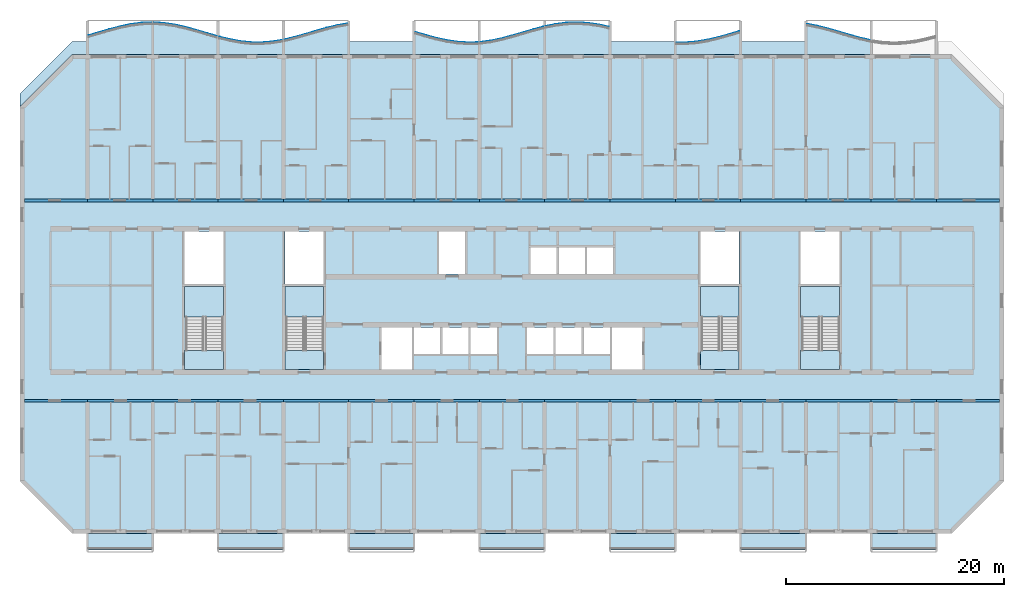
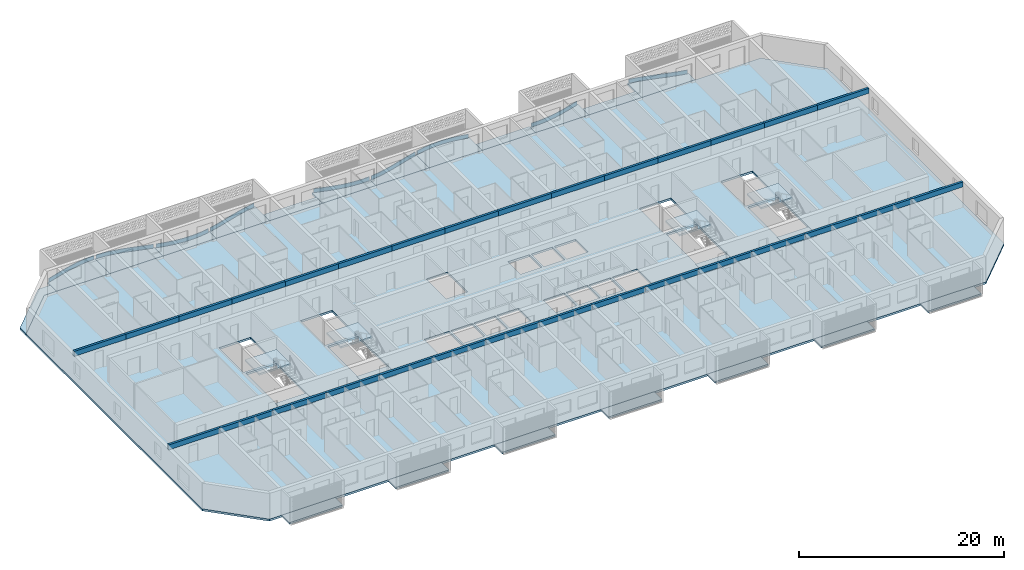
# One storey, part 1 of 28: 30 beams, 29 slabs, 9 plates, 4 elements without a shape of their own.
"""IFC4 building model written with IfcOpenShell, lengths in metres."""

from ifc_helpers import new_model, si_unit, direction, frame, origin, origin_2d, place, context, subcontext, project, spatial, polyline, rectangle, outline, extrude, source, transform, mapped, material, layer, layer_set, material_profile, profile_set, type_object, element, aggregate, save


model = new_model("IFC4")

# Units and contexts
model_context = context("Model", 3, precision=1e-05, world=origin(), true_north=direction((0.0, 1.0)))
body_context = subcontext(model_context, "Body", "Model", "MODEL_VIEW")
ifc_project = project(units=[si_unit("LENGTHUNIT", "METRE"), si_unit("AREAUNIT", "SQUARE_METRE"), si_unit("VOLUMEUNIT", "CUBIC_METRE"), si_unit("PLANEANGLEUNIT", "RADIAN"), si_unit("MASSUNIT", "GRAM", prefix="KILO")], contexts=[model_context])

# Site, building, storey
site_placement = place(None, origin())
site = spatial("IfcSite", under=ifc_project, at=site_placement, CompositionType="ELEMENT")
building_placement = place(site_placement, origin())
building = spatial("IfcBuilding", under=site, at=building_placement, Name="Poui Terraces", CompositionType="ELEMENT")
storey_placement = place(building_placement, frame((0.0, 0.0, 72.89990234375)))
storey = spatial("IfcBuildingStorey", under=building, at=storey_placement, Name="L19", CompositionType="ELEMENT", Elevation=72.89990234375)

# Beams
ifc_material_1 = material(Name="Concrete 65 MPa", Category="concrete")
ifc_material_profile = material_profile(ifc_material_1, rectangle(XDim=0.25, YDim=0.60009765625, at=origin_2d()), Name="RC 250x600")
ifc_profile_set = profile_set([ifc_material_profile], Name="Concrete 65 MPa")
beam_type = type_object("IfcBeamType", Name="COUPLING BEAM 250x600 65MPa", PredefinedType="BEAM", material=ifc_profile_set)
shared_shape_1 = source(origin(), body_context, "Body", "SweptSolid", [
    extrude(rectangle(XDim=0.25, YDim=0.60009765625, at=origin_2d()), origin(), (0.0, 0.0, 1.0), 5.800048828125),
])
for number, where, z_axis, x_axis, name in (
    (1, (6.199951171875, 12.0, 2.760009765625), (1.0, 0.0, 0.0), (0.0, 1.0, 0.0), "COUPLING BEAM LINE B BAY 1"),
    (2, (90.0, 12.0, 2.760009765625), (1.0, 0.0, 0.0), (0.0, 1.0, 0.0), "COUPLING BEAM LINE B BAY 15"),
    (3, (6.199951171875, 30.39990234375, 2.760009765625), (1.0, 0.0, 0.0), (0.0, 1.0, 0.0), "COUPLING BEAM LINE E BAY 1"),
    (4, (90.0, 30.39990234375, 2.760009765625), (1.0, 0.0, 0.0), (0.0, 1.0, 0.0), "COUPLING BEAM LINE E BAY 15"),
):
    element("IfcBeam", number, at=place(storey_placement, frame(where, z_axis=z_axis, x_axis=x_axis)), inside=storey, type_object=beam_type, Name=name, PredefinedType="BEAM", context=body_context, shape_type="MappedRepresentation", body=[
        mapped(shared_shape_1, transform((0.0, 0.0, 0.0))),
    ])
shared_shape_2 = source(origin(), body_context, "Body", "SweptSolid", [
    extrude(rectangle(XDim=0.25, YDim=0.60009765625, at=origin_2d()), origin(), (0.0, 0.0, 1.0), 6.0),
])
for number, where, z_axis, x_axis, name in (
    (5, (12.0, 12.0, 2.760009765625), (1.0, 0.0, 0.0), (0.0, 1.0, 0.0), "COUPLING BEAM LINE B BAY 2"),
    (6, (18.0, 12.0, 2.760009765625), (1.0, 0.0, 0.0), (0.0, 1.0, 0.0), "COUPLING BEAM LINE B BAY 3"),
    (7, (24.0, 12.0, 2.760009765625), (1.0, 0.0, 0.0), (0.0, 1.0, 0.0), "COUPLING BEAM LINE B BAY 4"),
    (8, (30.0, 12.0, 2.760009765625), (1.0, 0.0, 0.0), (0.0, 1.0, 0.0), "COUPLING BEAM LINE B BAY 5"),
    (9, (36.0, 12.0, 2.760009765625), (1.0, 0.0, 0.0), (0.0, 1.0, 0.0), "COUPLING BEAM LINE B BAY 6"),
    (10, (42.0, 12.0, 2.760009765625), (1.0, 0.0, 0.0), (0.0, 1.0, 0.0), "COUPLING BEAM LINE B BAY 7"),
    (11, (48.0, 12.0, 2.760009765625), (1.0, 0.0, 0.0), (0.0, 1.0, 0.0), "COUPLING BEAM LINE B BAY 8"),
    (12, (54.0, 12.0, 2.760009765625), (1.0, 0.0, 0.0), (0.0, 1.0, 0.0), "COUPLING BEAM LINE B BAY 9"),
    (13, (60.0, 12.0, 2.760009765625), (1.0, 0.0, 0.0), (0.0, 1.0, 0.0), "COUPLING BEAM LINE B BAY 10"),
    (14, (66.0, 12.0, 2.760009765625), (1.0, 0.0, 0.0), (0.0, 1.0, 0.0), "COUPLING BEAM LINE B BAY 11"),
    (15, (72.0, 12.0, 2.760009765625), (1.0, 0.0, 0.0), (0.0, 1.0, 0.0), "COUPLING BEAM LINE B BAY 12"),
    (16, (78.0, 12.0, 2.760009765625), (1.0, 0.0, 0.0), (0.0, 1.0, 0.0), "COUPLING BEAM LINE B BAY 13"),
    (17, (84.0, 12.0, 2.760009765625), (1.0, 0.0, 0.0), (0.0, 1.0, 0.0), "COUPLING BEAM LINE B BAY 14"),
    (18, (12.0, 30.39990234375, 2.760009765625), (1.0, 0.0, 0.0), (0.0, 1.0, 0.0), "COUPLING BEAM LINE E BAY 2"),
    (19, (18.0, 30.39990234375, 2.760009765625), (1.0, 0.0, 0.0), (0.0, 1.0, 0.0), "COUPLING BEAM LINE E BAY 3"),
    (20, (24.0, 30.39990234375, 2.760009765625), (1.0, 0.0, 0.0), (0.0, 1.0, 0.0), "COUPLING BEAM LINE E BAY 4"),
    (21, (30.0, 30.39990234375, 2.760009765625), (1.0, 0.0, 0.0), (0.0, 1.0, 0.0), "COUPLING BEAM LINE E BAY 5"),
    (22, (36.0, 30.39990234375, 2.760009765625), (1.0, 0.0, 0.0), (0.0, 1.0, 0.0), "COUPLING BEAM LINE E BAY 6"),
    (23, (42.0, 30.39990234375, 2.760009765625), (1.0, 0.0, 0.0), (0.0, 1.0, 0.0), "COUPLING BEAM LINE E BAY 7"),
    (24, (48.0, 30.39990234375, 2.760009765625), (1.0, 0.0, 0.0), (0.0, 1.0, 0.0), "COUPLING BEAM LINE E BAY 8"),
    (25, (54.0, 30.39990234375, 2.760009765625), (1.0, 0.0, 0.0), (0.0, 1.0, 0.0), "COUPLING BEAM LINE E BAY 9"),
    (26, (60.0, 30.39990234375, 2.760009765625), (1.0, 0.0, 0.0), (0.0, 1.0, 0.0), "COUPLING BEAM LINE E BAY 10"),
    (27, (66.0, 30.39990234375, 2.760009765625), (1.0, 0.0, 0.0), (0.0, 1.0, 0.0), "COUPLING BEAM LINE E BAY 11"),
    (28, (72.0, 30.39990234375, 2.760009765625), (1.0, 0.0, 0.0), (0.0, 1.0, 0.0), "COUPLING BEAM LINE E BAY 12"),
    (29, (78.0, 30.39990234375, 2.760009765625), (1.0, 0.0, 0.0), (0.0, 1.0, 0.0), "COUPLING BEAM LINE E BAY 13"),
    (30, (84.0, 30.39990234375, 2.760009765625), (1.0, 0.0, 0.0), (0.0, 1.0, 0.0), "COUPLING BEAM LINE E BAY 14"),
):
    element("IfcBeam", number, at=place(storey_placement, frame(where, z_axis=z_axis, x_axis=x_axis)), inside=storey, type_object=beam_type, Name=name, PredefinedType="BEAM", context=body_context, shape_type="MappedRepresentation", body=[
        mapped(shared_shape_2, transform((0.0, 0.0, 0.0))),
    ])

# Slabs
ifc_material_2 = material(Name="Precast concrete 40 MPa", Category="concrete")
ifc_layer_1 = layer(ifc_material_2, 0.239990234375)
ifc_layer_set_1 = layer_set([ifc_layer_1], Name="Precast concrete 40 MPa")
slab_type_1 = type_object("IfcSlabType", Name="BALCONY SLAB 240", PredefinedType="FLOOR", material=ifc_layer_set_1)
slab_1_placement = place(storey_placement, frame((0.0, 0.0, -0.239990234375)))
element("IfcSlab", 31, at=slab_1_placement, inside=storey, type_object=slab_type_1, Name="BALCONY SLAB", PredefinedType="FLOOR", context=body_context, shape_type="SweptSolid", body=[
    extrude(outline(polyline([(12.0, 43.800048828125), (18.0, 43.800048828125), (18.0, 46.749267578125), (17.0, 46.71337890625), (16.0, 46.586181640625), (15.0, 46.380615234375), (14.0, 46.117919921875), (13.0, 45.824951171875), (12.0, 45.531982421875), (12.0, 43.800048828125)])), origin(), (0.0, 0.0, 1.0), 0.239990234375),
])
slab_2_placement = place(storey_placement, frame((0.0, 0.0, -0.239990234375)))
element("IfcSlab", 32, at=slab_2_placement, inside=storey, type_object=slab_type_1, Name="BALCONY SLAB", PredefinedType="FLOOR", context=body_context, shape_type="SweptSolid", body=[
    extrude(outline(polyline([(18.0, 43.800048828125), (24.0, 43.800048828125), (24.0, 45.46240234375), (23.0, 45.75048828125), (22.0, 46.04638671875), (21.0, 46.3193359375), (20.0, 46.54150390625), (19.0, 46.68994140625), (18.0, 46.749267578125), (18.0, 43.800048828125)])), origin(), (0.0, 0.0, 1.0), 0.239990234375),
])
slab_3_placement = place(storey_placement, frame((0.0, 0.0, -0.239990234375)))
element("IfcSlab", 33, at=slab_3_placement, inside=storey, type_object=slab_type_1, Name="BALCONY SLAB", PredefinedType="FLOOR", context=body_context, shape_type="SweptSolid", body=[
    extrude(outline(polyline([(24.0, 43.800048828125), (30.0, 43.800048828125), (30.0, 45.157958984375), (29.0, 44.9892578125), (28.0, 44.90673828125), (27.0, 44.918701171875), (26.0, 45.02392578125), (25.0, 45.211669921875), (24.0, 45.46240234375), (24.0, 43.800048828125)])), origin(), (0.0, 0.0, 1.0), 0.239990234375),
])
slab_4_placement = place(storey_placement, frame((0.0, 0.0, -0.239990234375)))
element("IfcSlab", 34, at=slab_4_placement, inside=storey, type_object=slab_type_1, Name="BALCONY SLAB", PredefinedType="FLOOR", context=body_context, shape_type="SweptSolid", body=[
    extrude(outline(polyline([(30.0, 43.800048828125), (36.0, 43.800048828125), (36.0, 46.66064453125), (35.0, 46.4921875), (34.0, 46.2548828125), (33.0, 45.973388671875), (32.0, 45.676513671875), (31.0, 45.39501953125), (30.0, 45.157958984375), (30.0, 43.800048828125)])), origin(), (0.0, 0.0, 1.0), 0.239990234375),
])
slab_5_placement = place(storey_placement, frame((0.0, 0.0, -0.239990234375)))
element("IfcSlab", 35, at=slab_5_placement, inside=storey, type_object=slab_type_1, Name="BALCONY SLAB", PredefinedType="FLOOR", context=body_context, shape_type="SweptSolid", body=[
    extrude(outline(polyline([(42.0, 43.800048828125), (48.0, 43.800048828125), (48.0, 44.9365234375), (47.0, 44.90087890625), (46.0, 44.960205078125), (45.0, 45.1083984375), (44.0, 45.33056640625), (43.0, 45.603515625), (42.0, 45.8994140625), (42.0, 43.800048828125)])), origin(), (0.0, 0.0, 1.0), 0.239990234375),
])
slab_6_placement = place(storey_placement, frame((0.0, 0.0, -0.239990234375)))
element("IfcSlab", 36, at=slab_6_placement, inside=storey, type_object=slab_type_1, Name="BALCONY SLAB", PredefinedType="FLOOR", context=body_context, shape_type="SweptSolid", body=[
    extrude(outline(polyline([(48.0, 43.800048828125), (54.0, 43.800048828125), (54.0, 46.380615234375), (53.0, 46.117919921875), (52.0, 45.824951171875), (51.0, 45.531982421875), (50.0, 45.269287109375), (49.0, 45.063720703125), (48.0, 44.9365234375), (48.0, 43.800048828125)])), origin(), (0.0, 0.0, 1.0), 0.239990234375),
])
slab_7_placement = place(storey_placement, frame((0.0, 0.0, -0.239990234375)))
element("IfcSlab", 37, at=slab_7_placement, inside=storey, type_object=slab_type_1, Name="BALCONY SLAB", PredefinedType="FLOOR", context=body_context, shape_type="SweptSolid", body=[
    extrude(outline(polyline([(54.0, 43.800048828125), (60.0, 43.800048828125), (60.0, 46.3193359375), (59.0, 46.54150390625), (58.0, 46.68994140625), (57.0, 46.749267578125), (56.0, 46.71337890625), (55.0, 46.586181640625), (54.0, 46.380615234375), (54.0, 43.800048828125)])), origin(), (0.0, 0.0, 1.0), 0.239990234375),
])
slab_8_placement = place(storey_placement, frame((0.0, 0.0, -0.239990234375)))
element("IfcSlab", 38, at=slab_8_placement, inside=storey, type_object=slab_type_1, Name="BALCONY SLAB", PredefinedType="FLOOR", context=body_context, shape_type="SweptSolid", body=[
    extrude(outline(polyline([(66.0, 43.800048828125), (72.0, 43.800048828125), (72.0, 45.973388671875), (71.0, 45.676513671875), (70.0, 45.39501953125), (69.0, 45.157958984375), (68.0, 44.9892578125), (67.0, 44.90673828125), (66.0, 44.918701171875), (66.0, 43.800048828125)])), origin(), (0.0, 0.0, 1.0), 0.239990234375),
])
slab_9_placement = place(storey_placement, frame((0.0, 0.0, -0.239990234375)))
element("IfcSlab", 39, at=slab_9_placement, inside=storey, type_object=slab_type_1, Name="BALCONY SLAB", PredefinedType="FLOOR", context=body_context, shape_type="SweptSolid", body=[
    extrude(outline(polyline([(78.0, 43.800048828125), (84.0, 43.800048828125), (84.0, 45.1083984375), (83.0, 45.33056640625), (82.0, 45.603515625), (81.0, 45.8994140625), (80.0, 46.1875), (79.0, 46.4384765625), (78.0, 46.626220703125), (78.0, 43.800048828125)])), origin(), (0.0, 0.0, 1.0), 0.239990234375),
])

# Stair, slabs
stair_type = type_object("IfcStairType", Name="EXIT STAIR 1650 65 MPA", PredefinedType="HALF_TURN_STAIR", material=ifc_material_1)
stair_1_placement = place(storey_placement, origin())
stair_1 = element("IfcStair", 40, at=stair_1_placement, inside=storey, type_object=stair_type, Name="L19 CORE STAIR EAST", PredefinedType="HALF_TURN_STAIR")
ifc_layer_2 = layer(ifc_material_1, 0.199951171875)
ifc_layer_set_2 = layer_set([ifc_layer_2], Name="Concrete 65 MPa")
slab_type_2 = type_object("IfcSlabType", Name="STAIR LANDING 200 65 MPA", PredefinedType="LANDING", material=ifc_layer_set_2)
slab_10_placement = place(storey_placement, frame((0.0, 0.0, 1.449951171875)))
slab_10 = element("IfcSlab", 41, at=slab_10_placement, type_object=slab_type_2, Name="ST-CE landing 1", PredefinedType="LANDING", context=body_context, shape_type="SweptSolid", body=[
    extrude(outline(polyline([(68.324951171875, 19.679931640625), (71.875, 19.679931640625), (71.875, 22.47509765625), (68.324951171875, 22.47509765625), (68.324951171875, 19.679931640625)])), origin(), (0.0, 0.0, 1.0), 0.2001953125),
])
slab_11_placement = place(storey_placement, frame((0.0, 0.0, -0.199951171875)))
slab_11 = element("IfcSlab", 42, at=slab_11_placement, type_object=slab_type_2, Name="ST-CE landing 2", PredefinedType="LANDING", context=body_context, shape_type="SweptSolid", body=[
    extrude(outline(polyline([(68.324951171875, 14.85009765625), (71.875, 14.85009765625), (71.875, 16.60009765625), (68.324951171875, 16.60009765625), (68.324951171875, 14.85009765625)])), origin(), (0.0, 0.0, 1.0), 0.199951171875),
])
aggregate(stair_1, [slab_10, slab_11])

stair_2_placement = place(storey_placement, origin())
stair_2 = element("IfcStair", 43, at=stair_2_placement, inside=storey, type_object=stair_type, Name="L19 CORE STAIR WEST", PredefinedType="HALF_TURN_STAIR")
slab_12_placement = place(storey_placement, frame((0.0, 0.0, 1.449951171875)))
slab_12 = element("IfcSlab", 44, at=slab_12_placement, type_object=slab_type_2, Name="ST-CW landing 1", PredefinedType="LANDING", context=body_context, shape_type="SweptSolid", body=[
    extrude(outline(polyline([(30.125, 19.679931640625), (33.675048828125, 19.679931640625), (33.675048828125, 22.47509765625), (30.125, 22.47509765625), (30.125, 19.679931640625)])), origin(), (0.0, 0.0, 1.0), 0.2001953125),
])
slab_13_placement = place(storey_placement, frame((0.0, 0.0, -0.199951171875)))
slab_13 = element("IfcSlab", 45, at=slab_13_placement, type_object=slab_type_2, Name="ST-CW landing 2", PredefinedType="LANDING", context=body_context, shape_type="SweptSolid", body=[
    extrude(outline(polyline([(30.125, 14.85009765625), (33.675048828125, 14.85009765625), (33.675048828125, 16.60009765625), (30.125, 16.60009765625), (30.125, 14.85009765625)])), origin(), (0.0, 0.0, 1.0), 0.199951171875),
])
aggregate(stair_2, [slab_12, slab_13])

stair_3_placement = place(storey_placement, origin())
stair_3 = element("IfcStair", 46, at=stair_3_placement, inside=storey, type_object=stair_type, Name="L19 TIP STAIR EAST", PredefinedType="HALF_TURN_STAIR")
slab_14_placement = place(storey_placement, frame((0.0, 0.0, 1.449951171875)))
slab_14 = element("IfcSlab", 47, at=slab_14_placement, type_object=slab_type_2, Name="ST-E landing 1", PredefinedType="LANDING", context=body_context, shape_type="SweptSolid", body=[
    extrude(outline(polyline([(77.52490234375, 19.679931640625), (81.074951171875, 19.679931640625), (81.074951171875, 22.47509765625), (77.52490234375, 22.47509765625), (77.52490234375, 19.679931640625)])), origin(), (0.0, 0.0, 1.0), 0.2001953125),
])
slab_15_placement = place(storey_placement, frame((0.0, 0.0, -0.199951171875)))
slab_15 = element("IfcSlab", 48, at=slab_15_placement, type_object=slab_type_2, Name="ST-E landing 2", PredefinedType="LANDING", context=body_context, shape_type="SweptSolid", body=[
    extrude(outline(polyline([(77.52490234375, 14.85009765625), (81.074951171875, 14.85009765625), (81.074951171875, 16.60009765625), (77.52490234375, 16.60009765625), (77.52490234375, 14.85009765625)])), origin(), (0.0, 0.0, 1.0), 0.199951171875),
])
aggregate(stair_3, [slab_14, slab_15])

stair_4_placement = place(storey_placement, origin())
stair_4 = element("IfcStair", 49, at=stair_4_placement, inside=storey, type_object=stair_type, Name="L19 TIP STAIR WEST", PredefinedType="HALF_TURN_STAIR")
slab_16_placement = place(storey_placement, frame((0.0, 0.0, 1.449951171875)))
slab_16 = element("IfcSlab", 50, at=slab_16_placement, type_object=slab_type_2, Name="ST-W landing 1", PredefinedType="LANDING", context=body_context, shape_type="SweptSolid", body=[
    extrude(outline(polyline([(20.925048828125, 19.679931640625), (24.47509765625, 19.679931640625), (24.47509765625, 22.47509765625), (20.925048828125, 22.47509765625), (20.925048828125, 19.679931640625)])), origin(), (0.0, 0.0, 1.0), 0.2001953125),
])
slab_17_placement = place(storey_placement, frame((0.0, 0.0, -0.199951171875)))
slab_17 = element("IfcSlab", 51, at=slab_17_placement, type_object=slab_type_2, Name="ST-W landing 2", PredefinedType="LANDING", context=body_context, shape_type="SweptSolid", body=[
    extrude(outline(polyline([(20.925048828125, 14.85009765625), (24.47509765625, 14.85009765625), (24.47509765625, 16.60009765625), (20.925048828125, 16.60009765625), (20.925048828125, 14.85009765625)])), origin(), (0.0, 0.0, 1.0), 0.199951171875),
])
aggregate(stair_4, [slab_16, slab_17])

# Plates
ifc_layer_3 = layer(ifc_material_2, 0.080078125)
ifc_layer_set_3 = layer_set([ifc_layer_3], Name="Precast concrete 40 MPa")
plate_type = type_object("IfcPlateType", Name="SUNSHADE UPSTAND 80", PredefinedType="SHEET", material=ifc_layer_set_3)
plate_1_placement = place(storey_placement, origin())
element("IfcPlate", 52, at=plate_1_placement, inside=storey, type_object=plate_type, Name="SUNSHADE UPSTAND", PredefinedType="SHEET", context=body_context, shape_type="SweptSolid", body=[
    extrude(outline(polyline([(12.98876953125, 45.818359375), (12.11376953125, 45.56103515625), (12.13623046875, 45.484375), (13.01123046875, 45.74169921875), (14.0107421875, 46.034423828125), (15.009033203125, 46.296630859375), (16.006591796875, 46.501708984375), (17.00341796875, 46.628662109375), (17.876708984375, 46.6650390625), (17.873291015625, 46.74462890625), (17.83203125, 46.7431640625), (16.99658203125, 46.70849609375), (15.993408203125, 46.580810546875), (14.990966796875, 46.37451171875), (13.9892578125, 46.111572265625), (12.98876953125, 45.818359375)])), origin(), (0.0, 0.0, 1.0), 0.4501953125),
])
plate_2_placement = place(storey_placement, origin())
element("IfcPlate", 53, at=plate_2_placement, inside=storey, type_object=plate_type, Name="SUNSHADE UPSTAND", PredefinedType="SHEET", context=body_context, shape_type="SweptSolid", body=[
    extrude(outline(polyline([(19.004150390625, 46.684814453125), (18.168212890625, 46.7392578125), (18.127685546875, 46.74169921875), (18.122314453125, 46.662109375), (18.995849609375, 46.60498046875), (19.99267578125, 46.457275390625), (20.990478515625, 46.235595703125), (21.989013671875, 45.962890625), (22.98876953125, 45.667236328125), (23.864013671875, 45.41357421875), (23.885986328125, 45.490478515625), (23.01123046875, 45.743896484375), (22.010986328125, 46.039794921875), (21.009521484375, 46.313232421875), (20.00732421875, 46.535888671875), (19.004150390625, 46.684814453125)])), origin(), (0.0, 0.0, 1.0), 0.4501953125),
])
plate_3_placement = place(storey_placement, origin())
element("IfcPlate", 54, at=plate_3_placement, inside=storey, type_object=plate_type, Name="SUNSHADE UPSTAND", PredefinedType="SHEET", context=body_context, shape_type="SweptSolid", body=[
    extrude(outline(polyline([(25.008544921875, 45.205810546875), (24.134521484375, 45.42236328125), (24.115478515625, 45.344482421875), (24.991455078125, 45.12744140625), (25.994140625, 44.939208984375), (26.997802734375, 44.833740234375), (28.00146484375, 44.82177734375), (29.0048828125, 44.904541015625), (29.881591796875, 45.048095703125), (29.868408203125, 45.127197265625), (28.9951171875, 44.98388671875), (27.99853515625, 44.90185546875), (27.002197265625, 44.913818359375), (26.005859375, 45.0185546875), (25.008544921875, 45.205810546875)])), origin(), (0.0, 0.0, 1.0), 0.4501953125),
])
plate_4_placement = place(storey_placement, origin())
element("IfcPlate", 55, at=plate_4_placement, inside=storey, type_object=plate_type, Name="SUNSHADE UPSTAND", PredefinedType="SHEET", context=body_context, shape_type="SweptSolid", body=[
    extrude(outline(polyline([(30.989990234375, 45.388916015625), (30.115478515625, 45.177978515625), (30.134521484375, 45.100341796875), (31.010009765625, 45.311279296875), (32.010986328125, 45.59326171875), (33.010986328125, 45.889892578125), (34.010009765625, 46.171142578125), (35.008056640625, 46.407958984375), (35.8818359375, 46.5595703125), (35.8681640625, 46.638427734375), (34.991943359375, 46.486328125), (33.989990234375, 46.24853515625), (32.989013671875, 45.966796875), (31.989013671875, 45.669921875), (30.989990234375, 45.388916015625)])), origin(), (0.0, 0.0, 1.0), 0.4501953125),
])
plate_5_placement = place(storey_placement, origin())
element("IfcPlate", 56, at=plate_5_placement, inside=storey, type_object=plate_type, Name="SUNSHADE UPSTAND", PredefinedType="SHEET", context=body_context, shape_type="SweptSolid", body=[
    extrude(outline(polyline([(43.010986328125, 45.59716796875), (42.13623046875, 45.855712890625), (42.11376953125, 45.77880859375), (42.989013671875, 45.520263671875), (43.990478515625, 45.246826171875), (44.99267578125, 45.024169921875), (45.995849609375, 44.875244140625), (46.99951171875, 44.815673828125), (47.876220703125, 44.841796875), (47.873779296875, 44.921875), (47.00048828125, 44.895751953125), (46.004150390625, 44.954833984375), (45.00732421875, 45.102783203125), (44.009521484375, 45.324462890625), (43.010986328125, 45.59716796875)])), origin(), (0.0, 0.0, 1.0), 0.4501953125),
])
plate_6_placement = place(storey_placement, origin())
element("IfcPlate", 57, at=plate_6_placement, inside=storey, type_object=plate_type, Name="SUNSHADE UPSTAND", PredefinedType="SHEET", context=body_context, shape_type="SweptSolid", body=[
    extrude(outline(polyline([(48.993408203125, 45.05810546875), (48.11962890625, 44.9423828125), (48.13037109375, 44.863037109375), (49.006591796875, 44.979248046875), (50.009033203125, 45.185302734375), (51.0107421875, 45.448486328125), (52.01123046875, 45.74169921875), (53.0107421875, 46.034423828125), (53.88525390625, 46.266845703125), (53.86474609375, 46.343994140625), (52.9892578125, 46.111328125), (51.98876953125, 45.818359375), (50.9892578125, 45.525634765625), (49.990966796875, 45.26318359375), (48.993408203125, 45.05810546875)])), origin(), (0.0, 0.0, 1.0), 0.4501953125),
])
plate_7_placement = place(storey_placement, origin())
element("IfcPlate", 58, at=plate_7_placement, inside=storey, type_object=plate_type, Name="SUNSHADE UPSTAND", PredefinedType="SHEET", context=body_context, shape_type="SweptSolid", body=[
    extrude(outline(polyline([(54.993408203125, 46.580810546875), (54.1171875, 46.404296875), (54.1328125, 46.32568359375), (55.006591796875, 46.501708984375), (56.003173828125, 46.628662109375), (56.99951171875, 46.664306640625), (57.995849609375, 46.60498046875), (58.992919921875, 46.45703125), (59.866455078125, 46.266357421875), (59.883544921875, 46.344482421875), (59.007080078125, 46.535888671875), (58.004150390625, 46.684814453125), (57.00048828125, 46.744384765625), (55.996826171875, 46.70849609375), (54.993408203125, 46.580810546875)])), origin(), (0.0, 0.0, 1.0), 0.4501953125),
])
plate_8_placement = place(storey_placement, origin())
element("IfcPlate", 59, at=plate_8_placement, inside=storey, type_object=plate_type, Name="SUNSHADE UPSTAND", PredefinedType="SHEET", context=body_context, shape_type="SweptSolid", body=[
    extrude(outline(polyline([(66.99853515625, 44.90185546875), (66.125244140625, 44.906982421875), (66.124755859375, 44.826904296875), (67.00146484375, 44.82177734375), (68.0048828125, 44.904541015625), (69.008056640625, 45.07373046875), (70.010009765625, 45.311279296875), (71.010986328125, 45.59326171875), (71.886474609375, 45.853271484375), (71.863525390625, 45.9296875), (70.989013671875, 45.669921875), (69.989990234375, 45.388916015625), (68.991943359375, 45.152099609375), (67.9951171875, 44.98388671875), (66.99853515625, 44.90185546875)])), origin(), (0.0, 0.0, 1.0), 0.4501953125),
])
plate_9_placement = place(storey_placement, origin())
element("IfcPlate", 60, at=plate_9_placement, inside=storey, type_object=plate_type, Name="SUNSHADE UPSTAND", PredefinedType="SHEET", context=body_context, shape_type="SweptSolid", body=[
    extrude(outline(polyline([(79.0087890625, 46.4326171875), (78.132568359375, 46.60107421875), (78.117431640625, 46.5224609375), (78.9912109375, 46.354248046875), (79.989501953125, 46.10400390625), (80.98876953125, 45.81591796875), (81.989013671875, 45.520263671875), (82.990234375, 45.246826171875), (83.8662109375, 45.048583984375), (83.8837890625, 45.126708984375), (83.009765625, 45.324462890625), (82.010986328125, 45.59716796875), (81.01123046875, 45.892822265625), (80.010498046875, 46.18115234375), (79.0087890625, 46.4326171875)])), origin(), (0.0, 0.0, 1.0), 0.4501953125),
])

# Slabs
ifc_material_3 = material(Name="Concrete 40 MPa", Category="concrete")
ifc_layer_4 = layer(ifc_material_3, 0.239990234375)
ifc_layer_set_4 = layer_set([ifc_layer_4], Name="Concrete 40 MPa")
slab_type_3 = type_object("IfcSlabType", Name="FLOOR SLAB 240", PredefinedType="FLOOR", material=ifc_layer_set_4)
shared_shape_3 = source(origin(), body_context, "Body", "SweptSolid", [
    extrude(outline(polyline([(0.0, 0.0), (4.800048828125, -4.800048828125), (85.599853515625, -4.800048828125), (90.39990234375, 0.0), (90.39990234375, 34.39990234375), (85.599853515625, 39.199951171875), (4.800048828125, 39.199951171875), (0.0, 34.39990234375), (0.0, 0.0)]), holes=[polyline([(33.199951171875, 10.25), (33.199951171875, 14.14990234375), (36.0, 14.14990234375), (36.0, 10.25), (33.199951171875, 10.25)]), polyline([(36.199951171875, 11.699951171875), (36.199951171875, 14.14990234375), (38.599853515625, 14.14990234375), (38.599853515625, 11.699951171875), (36.199951171875, 11.699951171875)]), polyline([(38.800048828125, 11.699951171875), (38.800048828125, 14.14990234375), (41.199951171875, 14.14990234375), (41.199951171875, 11.699951171875), (38.800048828125, 11.699951171875)]), polyline([(41.39990234375, 14.14990234375), (43.800048828125, 14.14990234375), (43.800048828125, 11.699951171875), (41.39990234375, 11.699951171875), (41.39990234375, 14.14990234375)]), polyline([(46.599853515625, 14.14990234375), (49.0, 14.14990234375), (49.0, 11.699951171875), (46.599853515625, 11.699951171875), (46.599853515625, 14.14990234375)]), polyline([(15.224853515625, 17.849853515625), (18.675048828125, 17.849853515625), (18.675048828125, 12.0), (18.675048828125, 10.25), (15.125, 10.25), (15.125, 12.0), (15.224853515625, 12.0), (15.224853515625, 17.849853515625)]), polyline([(24.425048828125, 17.849853515625), (27.875, 17.849853515625), (27.875, 12.0), (27.875, 10.25), (24.324951171875, 10.25), (24.324951171875, 12.0), (24.425048828125, 12.0), (24.425048828125, 17.849853515625)]), polyline([(15.125, 18.125), (15.125, 22.949951171875), (18.675048828125, 22.949951171875), (18.675048828125, 18.125), (15.125, 18.125)]), polyline([(24.324951171875, 22.949951171875), (27.875, 22.949951171875), (27.875, 18.125), (24.324951171875, 18.125), (24.324951171875, 22.949951171875)]), polyline([(38.5, 22.949951171875), (40.89990234375, 22.949951171875), (40.89990234375, 19.0498046875), (38.5, 19.0498046875), (38.5, 22.949951171875)]), polyline([(54.39990234375, 10.25), (54.39990234375, 14.14990234375), (57.199951171875, 14.14990234375), (57.199951171875, 10.25), (54.39990234375, 10.25)]), polyline([(49.199951171875, 11.699951171875), (49.199951171875, 14.14990234375), (51.599853515625, 14.14990234375), (51.599853515625, 11.699951171875), (49.199951171875, 11.699951171875)]), polyline([(51.800048828125, 11.699951171875), (51.800048828125, 14.14990234375), (54.199951171875, 14.14990234375), (54.199951171875, 11.699951171875), (51.800048828125, 11.699951171875)]), polyline([(66.074951171875, 17.849853515625), (66.074951171875, 12.0), (66.074951171875, 10.25), (62.52490234375, 10.25), (62.52490234375, 12.0), (62.625, 12.0), (62.625, 17.849853515625), (66.074951171875, 17.849853515625)]), polyline([(75.27490234375, 17.849853515625), (75.27490234375, 12.0), (75.27490234375, 10.25), (71.724853515625, 10.25), (71.724853515625, 12.0), (71.824951171875, 12.0), (71.824951171875, 17.849853515625), (75.27490234375, 17.849853515625)]), polyline([(46.89990234375, 19.0498046875), (46.89990234375, 21.5), (49.300048828125, 21.5), (49.300048828125, 19.0498046875), (46.89990234375, 19.0498046875)]), polyline([(49.5, 19.0498046875), (49.5, 21.5), (51.89990234375, 21.5), (51.89990234375, 19.0498046875), (49.5, 19.0498046875)]), polyline([(52.099853515625, 19.0498046875), (52.099853515625, 21.5), (54.5, 21.5), (54.5, 19.0498046875), (52.099853515625, 19.0498046875)]), polyline([(62.52490234375, 22.949951171875), (66.074951171875, 22.949951171875), (66.074951171875, 18.125), (62.52490234375, 18.125), (62.52490234375, 22.949951171875)]), polyline([(71.724853515625, 22.949951171875), (75.27490234375, 22.949951171875), (75.27490234375, 18.125), (71.724853515625, 18.125), (71.724853515625, 22.949951171875)])]), origin(), (0.0, 0.0, 1.0), 0.239990234375),
])
slab_18_placement = place(storey_placement, frame((5.800048828125, 4.60009765625, -0.239990234375)))
element("IfcSlab", 61, at=slab_18_placement, inside=storey, type_object=slab_type_3, Name="FLOOR SLAB", PredefinedType="FLOOR", context=body_context, shape_type="MappedRepresentation", body=[
    mapped(shared_shape_3, transform((0.0, 0.0, 0.0))),
])
ifc_layer_5 = layer(ifc_material_3, 0.239990234375)
ifc_layer_set_5 = layer_set([ifc_layer_5], Name="Concrete 40 MPa")
slab_type_4 = type_object("IfcSlabType", Name="SKY GARDEN FLOOR SLAB 240", PredefinedType="FLOOR", material=ifc_layer_set_5)
shared_shape_4 = source(origin(), body_context, "Body", "SweptSolid", [
    extrude(outline(polyline([(0.0, 0.0), (0.0, 1.199951171875), (-1.39990234375, 1.199951171875), (-6.199951171875, -3.60009765625), (-6.199951171875, -4.800048828125), (-1.39990234375, 0.0), (0.0, 0.0)])), origin(), (0.0, 0.0, 1.0), 0.239990234375),
])
slab_19_placement = place(storey_placement, frame((12.0, 43.800048828125, -0.239990234375)))
element("IfcSlab", 62, at=slab_19_placement, inside=storey, type_object=slab_type_4, Name="SKY GARDEN ROOF SLAB", PredefinedType="FLOOR", context=body_context, shape_type="MappedRepresentation", body=[
    mapped(shared_shape_4, transform((0.0, 0.0, 0.0))),
])
ifc_layer_6 = layer(ifc_material_2, 0.199951171875)
ifc_layer_set_6 = layer_set([ifc_layer_6], Name="Precast concrete 40 MPa")
slab_type_5 = type_object("IfcSlabType", Name="REAR BALCONY SLAB 200", PredefinedType="FLOOR", material=ifc_layer_set_6)
shared_shape_5 = source(origin(), body_context, "Body", "SweptSolid", [
    extrude(outline(polyline([(0.0, 0.0), (6.0, 0.0), (6.0, 1.5), (0.0, 1.5), (0.0, 0.0)])), origin(), (0.0, 0.0, 1.0), 0.199951171875),
])
for number, where, name in (
    (63, (12.0, -1.699951171875, -0.199951171875), "REAR BALCONY SLAB"),
    (64, (24.0, -1.699951171875, -0.199951171875), "REAR BALCONY SLAB"),
    (65, (36.0, -1.699951171875, -0.199951171875), "REAR BALCONY SLAB"),
    (66, (48.0, -1.699951171875, -0.199951171875), "REAR BALCONY SLAB"),
    (67, (60.0, -1.699951171875, -0.199951171875), "REAR BALCONY SLAB"),
    (68, (72.0, -1.699951171875, -0.199951171875), "REAR BALCONY SLAB"),
    (69, (84.0, -1.699951171875, -0.199951171875), "REAR BALCONY SLAB"),
):
    element("IfcSlab", number, at=place(storey_placement, frame(where)), inside=storey, type_object=slab_type_5, Name=name, PredefinedType="FLOOR", context=body_context, shape_type="MappedRepresentation", body=[
        mapped(shared_shape_5, transform((0.0, 0.0, 0.0))),
    ])
shared_shape_6 = source(origin(), body_context, "Body", "SweptSolid", [
    extrude(outline(polyline([(0.0, 0.0), (0.0, 1.199951171875), (-6.0, 1.199951171875), (-6.0, 0.0), (0.0, 0.0)])), origin(), (0.0, 0.0, 1.0), 0.239990234375),
])
for number, where, name in (
    (70, (42.0, 43.800048828125, -0.239990234375), "SKY GARDEN ROOF SLAB"),
    (71, (66.0, 43.800048828125, -0.239990234375), "SKY GARDEN ROOF SLAB"),
    (72, (78.0, 43.800048828125, -0.239990234375), "SKY GARDEN ROOF SLAB"),
):
    element("IfcSlab", number, at=place(storey_placement, frame(where)), inside=storey, type_object=slab_type_4, Name=name, PredefinedType="FLOOR", context=body_context, shape_type="MappedRepresentation", body=[
        mapped(shared_shape_6, transform((0.0, 0.0, 0.0))),
    ])

save(model, "model.ifc")
